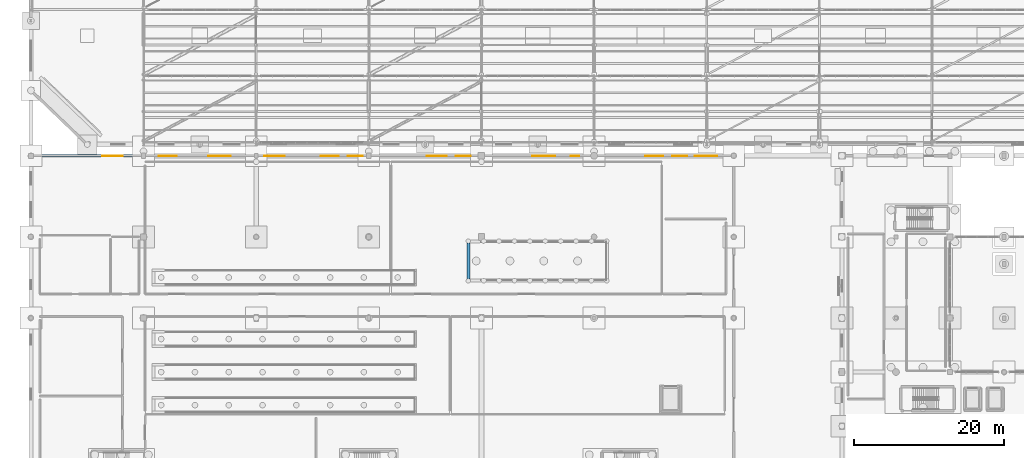
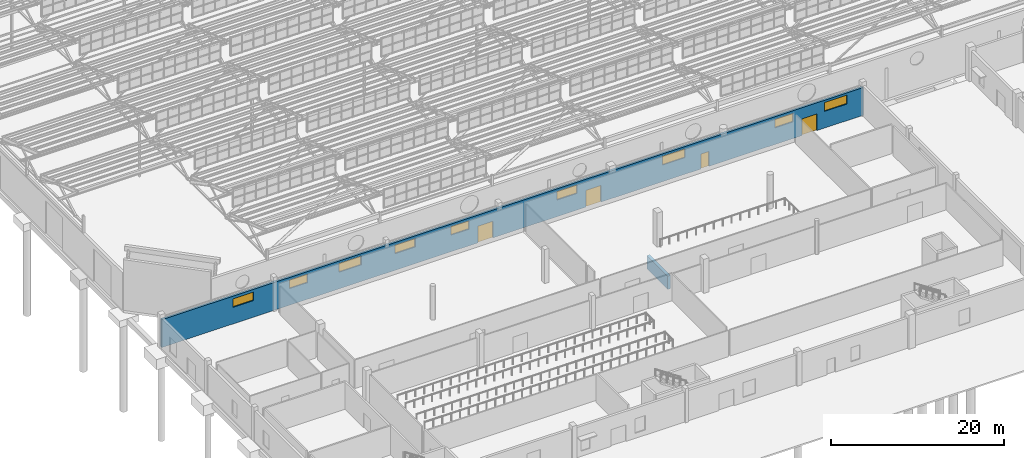
# One storey, part 250 of 285: 9 windows, 4 doors, 2 walls, 13 openings.
"""IFC4 building model written with IfcOpenShell, lengths in metres."""

from ifc_helpers import new_model, si_unit, direction, frame, frame_2d, origin, place, context, subcontext, project, spatial, rectangle, extrude, material, layer, layer_set, type_object, element, fill, save


model = new_model("IFC4")

# Units and contexts
model_context = context("Model", 3, precision=1e-05, world=origin(), true_north=direction((0.0, 1.0)))
body_context = subcontext(model_context, "Body", "Model", "MODEL_VIEW")
ifc_project = project(units=[si_unit("LENGTHUNIT", "METRE"), si_unit("AREAUNIT", "SQUARE_METRE"), si_unit("VOLUMEUNIT", "CUBIC_METRE"), si_unit("PLANEANGLEUNIT", "RADIAN"), si_unit("MASSUNIT", "GRAM", prefix="KILO")], contexts=[model_context])

# Site, building, storey
site_placement = place(None, origin())
site = spatial("IfcSite", under=ifc_project, at=site_placement, CompositionType="ELEMENT")
building_placement = place(site_placement, origin())
building = spatial("IfcBuilding", under=site, at=building_placement, Name="Solanera Park Tramway Depot", CompositionType="ELEMENT")
storey_placement = place(building_placement, origin())
storey = spatial("IfcBuildingStorey", under=building, at=storey_placement, Name="L00", CompositionType="ELEMENT", Elevation=0.0)

# Wall, openings, doors, windows
ifc_material_1 = material(Name="Concrete N32 (C32/40)", Category="concrete")
ifc_layer_1 = layer(ifc_material_1, 0.320068359375)
ifc_layer_set_1 = layer_set([ifc_layer_1], Name="Concrete N32 (C32/40)")
wall_type_1 = type_object("IfcWallType", Name="Ext Stucco Wall 320", PredefinedType="SOLIDWALL", material=ifc_layer_set_1)
wall_1_placement = place(storey_placement, frame((93.60009765625, 54.0, 0.0), z_axis=(0.0, 0.0, 1.0), x_axis=(-1.0, 0.0, 0.0)))
wall_1 = element("IfcWall", 1, at=wall_1_placement, inside=storey, type_object=wall_type_1, Name="L00 Exterior Wall #002", PredefinedType="SOLIDWALL", context=body_context, shape_type="SweptSolid", body=[
    extrude(rectangle(XDim=93.60009765625, YDim=0.320068359375, at=frame_2d((46.800048828125, 0.0))), origin(), (0.0, 0.0, 1.0), 3.919921875),
])
opening_1_placement = place(wall_1_placement, frame((2.199951171875, 0.0, 2.35009765625)))
opening_1 = element("IfcOpeningElement", 2, at=opening_1_placement, cuts=wall_1, Name="Opening WN-H30", PredefinedType="OPENING", context=body_context, shape_type="SweptSolid", body=[
    extrude(rectangle(XDim=3.0, YDim=1.25, at=frame_2d((1.5, 0.625))), frame((0.0, 0.169921875, 0.0), z_axis=(0.0, -1.0, 0.0), x_axis=(1.0, 0.0, 0.0)), (0.0, 0.0, 1.0), 0.340087890625),
])
opening_2_placement = place(wall_1_placement, frame((9.39990234375, 0.0, 2.35009765625)))
opening_2 = element("IfcOpeningElement", 3, at=opening_2_placement, cuts=wall_1, Name="Opening WN-H24", PredefinedType="OPENING", context=body_context, shape_type="SweptSolid", body=[
    extrude(rectangle(XDim=2.39990234375, YDim=1.199951171875, at=frame_2d((1.199951171875, 0.60009765625))), frame((0.0, 0.169921875, 0.0), z_axis=(0.0, -1.0, 0.0), x_axis=(1.0, 0.0, 0.0)), (0.0, 0.0, 1.0), 0.340087890625),
])
opening_3_placement = place(wall_1_placement, frame((23.800048828125, 0.0, 2.35009765625)))
opening_3 = element("IfcOpeningElement", 4, at=opening_3_placement, cuts=wall_1, Name="Opening WN-H30", PredefinedType="OPENING", context=body_context, shape_type="SweptSolid", body=[
    extrude(rectangle(XDim=3.0, YDim=1.25, at=frame_2d((1.5, 0.625))), frame((0.0, 0.169921875, 0.0), z_axis=(0.0, -1.0, 0.0), x_axis=(1.0, 0.0, 0.0)), (0.0, 0.0, 1.0), 0.340087890625),
])
opening_4_placement = place(wall_1_placement, frame((38.199951171875, 0.0, 2.35009765625)))
opening_4 = element("IfcOpeningElement", 5, at=opening_4_placement, cuts=wall_1, Name="Opening WN-H27", PredefinedType="OPENING", context=body_context, shape_type="SweptSolid", body=[
    extrude(rectangle(XDim=2.699951171875, YDim=1.199951171875, at=frame_2d((1.35009765625, 0.60009765625))), frame((0.0, 0.169921875, 0.0), z_axis=(0.0, -1.0, 0.0), x_axis=(1.0, 0.0, 0.0)), (0.0, 0.0, 1.0), 0.340087890625),
])
opening_5_placement = place(wall_1_placement, frame((52.60009765625, 0.0, 2.35009765625)))
opening_5 = element("IfcOpeningElement", 6, at=opening_5_placement, cuts=wall_1, Name="Opening WN-H24", PredefinedType="OPENING", context=body_context, shape_type="SweptSolid", body=[
    extrude(rectangle(XDim=2.39990234375, YDim=1.199951171875, at=frame_2d((1.199951171875, 0.60009765625))), frame((0.0, 0.169921875, 0.0), z_axis=(0.0, -1.0, 0.0), x_axis=(1.0, 0.0, 0.0)), (0.0, 0.0, 1.0), 0.340087890625),
])
opening_6_placement = place(wall_1_placement, frame((59.800048828125, 0.0, 2.35009765625)))
opening_6 = element("IfcOpeningElement", 7, at=opening_6_placement, cuts=wall_1, Name="Opening WN-H27", PredefinedType="OPENING", context=body_context, shape_type="SweptSolid", body=[
    extrude(rectangle(XDim=2.699951171875, YDim=1.199951171875, at=frame_2d((1.35009765625, 0.60009765625))), frame((0.0, 0.169921875, 0.0), z_axis=(0.0, -1.0, 0.0), x_axis=(1.0, 0.0, 0.0)), (0.0, 0.0, 1.0), 0.340087890625),
])
opening_7_placement = place(wall_1_placement, frame((67.0, 0.0, 2.35009765625)))
opening_7 = element("IfcOpeningElement", 8, at=opening_7_placement, cuts=wall_1, Name="Opening WN-H30", PredefinedType="OPENING", context=body_context, shape_type="SweptSolid", body=[
    extrude(rectangle(XDim=3.0, YDim=1.25, at=frame_2d((1.5, 0.625))), frame((0.0, 0.169921875, 0.0), z_axis=(0.0, -1.0, 0.0), x_axis=(1.0, 0.0, 0.0)), (0.0, 0.0, 1.0), 0.340087890625),
])
opening_8_placement = place(wall_1_placement, frame((74.199951171875, 0.0, 2.35009765625)))
opening_8 = element("IfcOpeningElement", 9, at=opening_8_placement, cuts=wall_1, Name="Opening WN-H24", PredefinedType="OPENING", context=body_context, shape_type="SweptSolid", body=[
    extrude(rectangle(XDim=2.39990234375, YDim=1.199951171875, at=frame_2d((1.199951171875, 0.60009765625))), frame((0.0, 0.169921875, 0.0), z_axis=(0.0, -1.0, 0.0), x_axis=(1.0, 0.0, 0.0)), (0.0, 0.0, 1.0), 0.340087890625),
])
opening_9_placement = place(wall_1_placement, frame((81.39990234375, 0.0, 2.35009765625)))
opening_9 = element("IfcOpeningElement", 10, at=opening_9_placement, cuts=wall_1, Name="Opening WN-H27", PredefinedType="OPENING", context=body_context, shape_type="SweptSolid", body=[
    extrude(rectangle(XDim=2.699951171875, YDim=1.199951171875, at=frame_2d((1.35009765625, 0.60009765625))), frame((0.0, 0.169921875, 0.0), z_axis=(0.0, -1.0, 0.0), x_axis=(1.0, 0.0, 0.0)), (0.0, 0.0, 1.0), 0.340087890625),
])
opening_10_placement = place(wall_1_placement, frame((6.199951171875, 0.0, 0.0)))
opening_10 = element("IfcOpeningElement", 11, at=opening_10_placement, cuts=wall_1, Name="Opening ED-01", PredefinedType="OPENING", context=body_context, shape_type="SweptSolid", body=[
    extrude(rectangle(XDim=2.0, YDim=2.35009765625, at=frame_2d((1.0, 1.175048828125))), frame((0.0, 0.169921875, 0.0), z_axis=(0.0, -1.0, 0.0), x_axis=(1.0, 0.0, 0.0)), (0.0, 0.0, 1.0), 0.340087890625),
])
opening_11_placement = place(wall_1_placement, frame((20.60009765625, 0.0, 0.0)))
opening_11 = element("IfcOpeningElement", 12, at=opening_11_placement, cuts=wall_1, Name="Opening ED-05", PredefinedType="OPENING", context=body_context, shape_type="SweptSolid", body=[
    extrude(rectangle(XDim=1.10009765625, YDim=2.10009765625, at=frame_2d((0.550048828125, 1.050048828125))), frame((0.0, 0.169921875, 0.0), z_axis=(0.0, -1.0, 0.0), x_axis=(1.0, 0.0, 0.0)), (0.0, 0.0, 1.0), 0.340087890625),
])
opening_12_placement = place(wall_1_placement, frame((35.0, 0.0, 0.0)))
opening_12 = element("IfcOpeningElement", 13, at=opening_12_placement, cuts=wall_1, Name="Opening ED-01", PredefinedType="OPENING", context=body_context, shape_type="SweptSolid", body=[
    extrude(rectangle(XDim=2.0, YDim=2.35009765625, at=frame_2d((1.0, 1.175048828125))), frame((0.0, 0.169921875, 0.0), z_axis=(0.0, -1.0, 0.0), x_axis=(1.0, 0.0, 0.0)), (0.0, 0.0, 1.0), 0.340087890625),
])
opening_13_placement = place(wall_1_placement, frame((49.39990234375, 0.0, 0.0)))
opening_13 = element("IfcOpeningElement", 14, at=opening_13_placement, cuts=wall_1, Name="Opening ED-01", PredefinedType="OPENING", context=body_context, shape_type="SweptSolid", body=[
    extrude(rectangle(XDim=2.0, YDim=2.35009765625, at=frame_2d((1.0, 1.175048828125))), frame((0.0, 0.169921875, 0.0), z_axis=(0.0, -1.0, 0.0), x_axis=(1.0, 0.0, 0.0)), (0.0, 0.0, 1.0), 0.340087890625),
])
ifc_material_2 = material(Name="Powder-coated aluminium and steel portal leaf", Category="steel")
door_type_1 = type_object("IfcDoorType", Name="Civic Entrance Double Door 2000x2350", OperationType="DOUBLE_SWING_LEFT", PredefinedType="DOOR", material=ifc_material_2)
door_1_placement = place(opening_10_placement, frame((2.0, 0.0, 0.0), z_axis=(0.0, 0.0, 1.0), x_axis=(-1.0, 0.0, 0.0)))
door_1 = element("IfcDoor", 15, at=door_1_placement, inside=storey, type_object=door_type_1, Name="Ground Final Exit Double Door #0028", OperationType="DOUBLE_SWING_LEFT", OverallHeight=2.35009765625, OverallWidth=2.0, PredefinedType="DOOR", context=body_context, shape_type="SweptSolid", body=[
    extrude(rectangle(XDim=2.0, YDim=2.35009765625, at=frame_2d((1.0, 1.175048828125))), frame((0.0, 0.02490234375, 0.0), z_axis=(0.0, -1.0, 0.0), x_axis=(1.0, 0.0, 0.0)), (0.0, 0.0, 1.0), 0.050048828125),
])
fill(opening_10, door_1)
door_2_placement = place(opening_12_placement, frame((2.0, 0.0, 0.0), z_axis=(0.0, 0.0, 1.0), x_axis=(-1.0, 0.0, 0.0)))
door_2 = element("IfcDoor", 16, at=door_2_placement, inside=storey, type_object=door_type_1, Name="Ground Final Exit Double Door #0030", OperationType="DOUBLE_SWING_LEFT", OverallHeight=2.35009765625, OverallWidth=2.0, PredefinedType="DOOR", context=body_context, shape_type="SweptSolid", body=[
    extrude(rectangle(XDim=2.0, YDim=2.35009765625, at=frame_2d((1.0, 1.175048828125))), frame((0.0, 0.02490234375, 0.0), z_axis=(0.0, -1.0, 0.0), x_axis=(1.0, 0.0, 0.0)), (0.0, 0.0, 1.0), 0.050048828125),
])
fill(opening_12, door_2)
door_3_placement = place(opening_13_placement, frame((2.0, 0.0, 0.0), z_axis=(0.0, 0.0, 1.0), x_axis=(-1.0, 0.0, 0.0)))
door_3 = element("IfcDoor", 17, at=door_3_placement, inside=storey, type_object=door_type_1, Name="Ground Final Exit Double Door #0031", OperationType="DOUBLE_SWING_LEFT", OverallHeight=2.35009765625, OverallWidth=2.0, PredefinedType="DOOR", context=body_context, shape_type="SweptSolid", body=[
    extrude(rectangle(XDim=2.0, YDim=2.35009765625, at=frame_2d((1.0, 1.175048828125))), frame((0.0, 0.02490234375, 0.0), z_axis=(0.0, -1.0, 0.0), x_axis=(1.0, 0.0, 0.0)), (0.0, 0.0, 1.0), 0.050048828125),
])
fill(opening_13, door_3)
ifc_material_3 = material(Name="Powder-coated aluminium and steel portal leaf", Category="steel")
door_type_2 = type_object("IfcDoorType", Name="External Final Exit Door 1100x2100", OperationType="SINGLE_SWING_LEFT", PredefinedType="DOOR", material=ifc_material_3)
door_4_placement = place(opening_11_placement, frame((1.10009765625, 0.0, 0.0), z_axis=(0.0, 0.0, 1.0), x_axis=(-1.0, 0.0, 0.0)))
door_4 = element("IfcDoor", 18, at=door_4_placement, inside=storey, type_object=door_type_2, Name="Ground Final Exit Door #0029", OperationType="SINGLE_SWING_LEFT", OverallHeight=2.10009765625, OverallWidth=1.10009765625, PredefinedType="DOOR", context=body_context, shape_type="SweptSolid", body=[
    extrude(rectangle(XDim=1.10009765625, YDim=2.10009765625, at=frame_2d((0.550048828125, 1.050048828125))), frame((0.0, 0.02490234375, 0.0), z_axis=(0.0, -1.0, 0.0), x_axis=(1.0, 0.0, 0.0)), (0.0, 0.0, 1.0), 0.050048828125),
])
fill(opening_11, door_4)
ifc_material_4 = material(Name="Powder-coated aluminium frame with solar-control double glazing", Category="aluminium")
window_type_1 = type_object("IfcWindowType", Name="Workshop High-Bay Clerestory 2400x1200", PartitioningType="SINGLE_PANEL", PredefinedType="WINDOW", material=ifc_material_4)
window_1_placement = place(opening_2_placement, origin())
window_1 = element("IfcWindow", 19, at=window_1_placement, inside=storey, type_object=window_type_1, Name="L00 Workshop High-Bay Clerestory 2400x1200 #0026", OverallHeight=1.199951171875, OverallWidth=2.39990234375, PartitioningType="SINGLE_PANEL", PredefinedType="WINDOW", context=body_context, shape_type="SweptSolid", body=[
    extrude(rectangle(XDim=2.39990234375, YDim=1.199951171875, at=frame_2d((1.199951171875, 0.60009765625))), frame((0.0, 0.030029296875, 0.0), z_axis=(0.0, -1.0, 0.0), x_axis=(1.0, 0.0, 0.0)), (0.0, 0.0, 1.0), 0.06005859375),
])
fill(opening_2, window_1)
window_2_placement = place(opening_5_placement, origin())
window_2 = element("IfcWindow", 20, at=window_2_placement, inside=storey, type_object=window_type_1, Name="L00 Workshop High-Bay Clerestory 2400x1200 #0029", OverallHeight=1.199951171875, OverallWidth=2.39990234375, PartitioningType="SINGLE_PANEL", PredefinedType="WINDOW", context=body_context, shape_type="SweptSolid", body=[
    extrude(rectangle(XDim=2.39990234375, YDim=1.199951171875, at=frame_2d((1.199951171875, 0.60009765625))), frame((0.0, 0.030029296875, 0.0), z_axis=(0.0, -1.0, 0.0), x_axis=(1.0, 0.0, 0.0)), (0.0, 0.0, 1.0), 0.06005859375),
])
fill(opening_5, window_2)
window_3_placement = place(opening_8_placement, origin())
window_3 = element("IfcWindow", 21, at=window_3_placement, inside=storey, type_object=window_type_1, Name="L00 Workshop High-Bay Clerestory 2400x1200 #0032", OverallHeight=1.199951171875, OverallWidth=2.39990234375, PartitioningType="SINGLE_PANEL", PredefinedType="WINDOW", context=body_context, shape_type="SweptSolid", body=[
    extrude(rectangle(XDim=2.39990234375, YDim=1.199951171875, at=frame_2d((1.199951171875, 0.60009765625))), frame((0.0, 0.030029296875, 0.0), z_axis=(0.0, -1.0, 0.0), x_axis=(1.0, 0.0, 0.0)), (0.0, 0.0, 1.0), 0.06005859375),
])
fill(opening_8, window_3)
ifc_material_5 = material(Name="Powder-coated aluminium frame with solar-control double glazing", Category="aluminium")
window_type_2 = type_object("IfcWindowType", Name="Workshop High-Bay Clerestory 2700x1200", PartitioningType="SINGLE_PANEL", PredefinedType="WINDOW", material=ifc_material_5)
window_4_placement = place(opening_4_placement, origin())
window_4 = element("IfcWindow", 22, at=window_4_placement, inside=storey, type_object=window_type_2, Name="L00 Workshop High-Bay Clerestory 2700x1200 #0028", OverallHeight=1.199951171875, OverallWidth=2.699951171875, PartitioningType="SINGLE_PANEL", PredefinedType="WINDOW", context=body_context, shape_type="SweptSolid", body=[
    extrude(rectangle(XDim=2.699951171875, YDim=1.199951171875, at=frame_2d((1.35009765625, 0.60009765625))), frame((0.0, 0.030029296875, 0.0), z_axis=(0.0, -1.0, 0.0), x_axis=(1.0, 0.0, 0.0)), (0.0, 0.0, 1.0), 0.06005859375),
])
fill(opening_4, window_4)
window_5_placement = place(opening_6_placement, origin())
window_5 = element("IfcWindow", 23, at=window_5_placement, inside=storey, type_object=window_type_2, Name="L00 Workshop High-Bay Clerestory 2700x1200 #0030", OverallHeight=1.199951171875, OverallWidth=2.699951171875, PartitioningType="SINGLE_PANEL", PredefinedType="WINDOW", context=body_context, shape_type="SweptSolid", body=[
    extrude(rectangle(XDim=2.699951171875, YDim=1.199951171875, at=frame_2d((1.35009765625, 0.60009765625))), frame((0.0, 0.030029296875, 0.0), z_axis=(0.0, -1.0, 0.0), x_axis=(1.0, 0.0, 0.0)), (0.0, 0.0, 1.0), 0.06005859375),
])
fill(opening_6, window_5)
window_6_placement = place(opening_9_placement, origin())
window_6 = element("IfcWindow", 24, at=window_6_placement, inside=storey, type_object=window_type_2, Name="L00 Workshop High-Bay Clerestory 2700x1200 #0033", OverallHeight=1.199951171875, OverallWidth=2.699951171875, PartitioningType="SINGLE_PANEL", PredefinedType="WINDOW", context=body_context, shape_type="SweptSolid", body=[
    extrude(rectangle(XDim=2.699951171875, YDim=1.199951171875, at=frame_2d((1.35009765625, 0.60009765625))), frame((0.0, 0.030029296875, 0.0), z_axis=(0.0, -1.0, 0.0), x_axis=(1.0, 0.0, 0.0)), (0.0, 0.0, 1.0), 0.06005859375),
])
fill(opening_9, window_6)
ifc_material_6 = material(Name="Powder-coated aluminium frame with solar-control double glazing", Category="aluminium")
window_type_3 = type_object("IfcWindowType", Name="Workshop High-Bay Clerestory 3000x1250", PartitioningType="SINGLE_PANEL", PredefinedType="WINDOW", material=ifc_material_6)
window_7_placement = place(opening_1_placement, origin())
window_7 = element("IfcWindow", 25, at=window_7_placement, inside=storey, type_object=window_type_3, Name="L00 Workshop High-Bay Clerestory 3000x1250 #0025", OverallHeight=1.25, OverallWidth=3.0, PartitioningType="SINGLE_PANEL", PredefinedType="WINDOW", context=body_context, shape_type="SweptSolid", body=[
    extrude(rectangle(XDim=3.0, YDim=1.25, at=frame_2d((1.5, 0.625))), frame((0.0, 0.030029296875, 0.0), z_axis=(0.0, -1.0, 0.0), x_axis=(1.0, 0.0, 0.0)), (0.0, 0.0, 1.0), 0.06005859375),
])
fill(opening_1, window_7)
window_8_placement = place(opening_3_placement, origin())
window_8 = element("IfcWindow", 26, at=window_8_placement, inside=storey, type_object=window_type_3, Name="L00 Workshop High-Bay Clerestory 3000x1250 #0027", OverallHeight=1.25, OverallWidth=3.0, PartitioningType="SINGLE_PANEL", PredefinedType="WINDOW", context=body_context, shape_type="SweptSolid", body=[
    extrude(rectangle(XDim=3.0, YDim=1.25, at=frame_2d((1.5, 0.625))), frame((0.0, 0.030029296875, 0.0), z_axis=(0.0, -1.0, 0.0), x_axis=(1.0, 0.0, 0.0)), (0.0, 0.0, 1.0), 0.06005859375),
])
fill(opening_3, window_8)
window_9_placement = place(opening_7_placement, origin())
window_9 = element("IfcWindow", 27, at=window_9_placement, inside=storey, type_object=window_type_3, Name="L00 Workshop High-Bay Clerestory 3000x1250 #0031", OverallHeight=1.25, OverallWidth=3.0, PartitioningType="SINGLE_PANEL", PredefinedType="WINDOW", context=body_context, shape_type="SweptSolid", body=[
    extrude(rectangle(XDim=3.0, YDim=1.25, at=frame_2d((1.5, 0.625))), frame((0.0, 0.030029296875, 0.0), z_axis=(0.0, -1.0, 0.0), x_axis=(1.0, 0.0, 0.0)), (0.0, 0.0, 1.0), 0.06005859375),
])
fill(opening_7, window_9)

# Wall
ifc_material_7 = material(Name="Concrete N40 (C40/50)", Category="concrete")
ifc_layer_2 = layer(ifc_material_7, 0.39990234375)
ifc_layer_set_2 = layer_set([ifc_layer_2], Name="Concrete N40 (C40/50)")
wall_type_2 = type_object("IfcWallType", Name="Pit Retaining Wall 400", PredefinedType="USERDEFINED", material=ifc_layer_set_2)
wall_2_placement = place(storey_placement, frame((58.300048828125, 37.60009765625, -2.300048828125), z_axis=(0.0, 0.0, 1.0), x_axis=(0.0, 1.0, 0.0)))
element("IfcWall", 28, at=wall_2_placement, inside=storey, type_object=wall_type_2, Name="Pit Retaining Wall PIT-WL W", ObjectType="RETAINING WALL", PredefinedType="USERDEFINED", context=body_context, shape_type="SweptSolid", body=[
    extrude(rectangle(XDim=4.7998046875, YDim=0.39990234375, at=frame_2d((2.39990234375, 0.0))), origin(), (0.0, 0.0, 1.0), 1.875),
])

save(model, "model.ifc")
